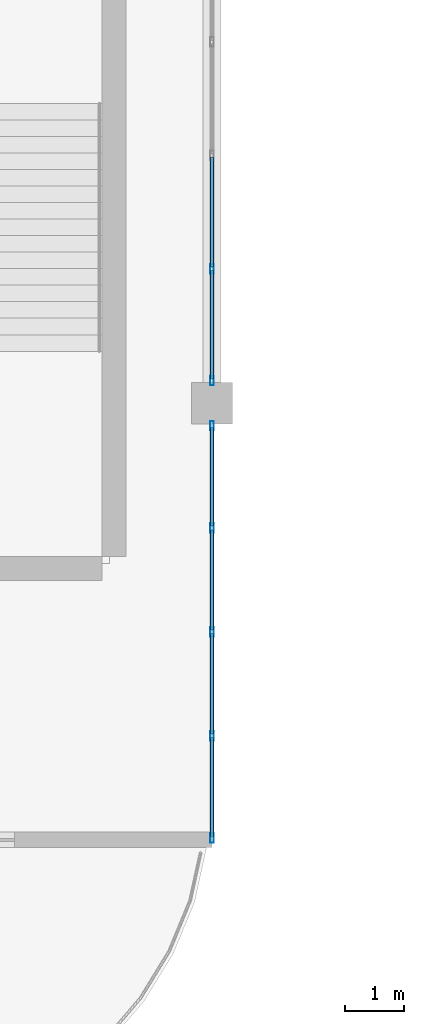
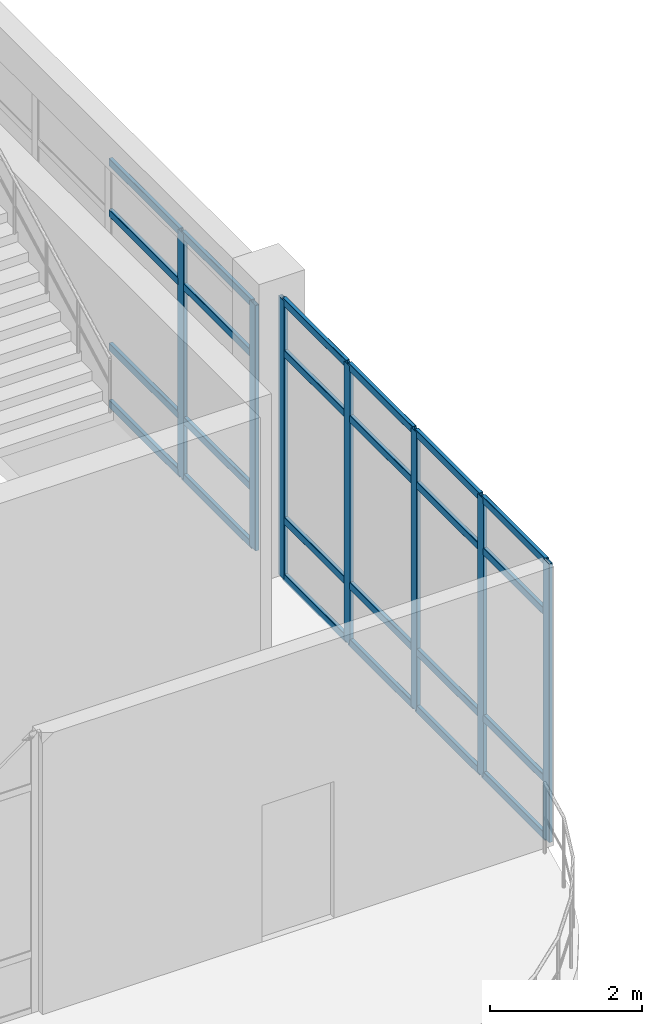
# One storey, part 25 of 64: 31 members, 2 elements without a shape of their own.
"""IFC4 building model written with IfcOpenShell, lengths in metres."""

import ifcopenshell
import ifcopenshell.guid

model = None  # the IFC model being written
_history = None  # IfcOwnerHistory: only IFC2X3 demands one
_inside = {}  # id of a spatial element -> (the spatial element, [elements in it])
_under = {}  # id of a project, library or spatial element -> (it, [spatial elements below it])
_declared = {}  # id of a project -> (the project, [libraries it declares])
_typed = {}  # id of a type object -> (the type object, [elements of that type])
_made_of = {}  # id of a material, layer set ... -> (it, [elements and type objects made of it])


def new_model(schema):
    """Start an empty IFC model of exactly this schema.

    Asked for "IFC4X3", IfcOpenShell would pick the latest addendum, in which some entities
    have other attributes; the version numbers below select the first issue.
    IFC2X3 requires an IfcOwnerHistory on every rooted entity: one is made here for all.
    """
    global model, _history
    if schema == "IFC4X3":
        model = ifcopenshell.file(schema_version=(4, 3, 0, 0))
    else:
        model = ifcopenshell.file(schema=schema)
    _inside.clear()
    _under.clear()
    _declared.clear()
    _typed.clear()
    _made_of.clear()
    _history = None
    if model.schema == "IFC2X3":
        org = make("IfcOrganization", Name="unknown")
        user = make(
            "IfcPersonAndOrganization",
            ThePerson=make("IfcPerson", FamilyName="unknown"),
            TheOrganization=org,
        )
        app = make(
            "IfcApplication",
            ApplicationDeveloper=org,
            Version="unknown",
            ApplicationFullName="unknown",
            ApplicationIdentifier="unknown",
        )
        _history = make(
            "IfcOwnerHistory",
            OwningUser=user,
            OwningApplication=app,
            ChangeAction="ADDED",
            CreationDate=0,
        )
    return model


def make(cls, **values):
    """One entity of the class cls with the attributes given. An attribute that is None is left unset."""
    return model.create_entity(
        cls, **{name: value for name, value in values.items() if value is not None}
    )


def rooted(cls, **values):
    """An entity with a GlobalId (a new one), such as an element, a storey or a relation."""
    return make(cls, GlobalId=ifcopenshell.guid.new(), OwnerHistory=_history, **values)


def si_unit(unit_type, name, prefix=None):
    """IfcSIUnit, for example si_unit("LENGTHUNIT", "METRE", prefix="MILLI")."""
    return make("IfcSIUnit", UnitType=unit_type, Prefix=prefix, Name=name)


def derived_unit(unit_type, elements):
    """IfcDerivedUnit: a product of units, each with its exponent."""
    return make(
        "IfcDerivedUnit",
        Elements=[
            make("IfcDerivedUnitElement", Unit=unit, Exponent=power)
            for unit, power in elements
        ],
        UnitType=unit_type,
    )


def assignment(units):
    """IfcUnitAssignment: the units of a project."""
    return None if units is None else make("IfcUnitAssignment", Units=units)


def point(xyz):
    """IfcCartesianPoint."""
    return None if xyz is None else make("IfcCartesianPoint", Coordinates=xyz)


def direction(xyz):
    """IfcDirection."""
    return None if xyz is None else make("IfcDirection", DirectionRatios=xyz)


def frame(location, z_axis=None, x_axis=None):
    """IfcAxis2Placement3D, a coordinate frame: its origin and axes. An axis left out is left unset."""
    return make(
        "IfcAxis2Placement3D",
        Location=point(location),
        Axis=direction(z_axis),
        RefDirection=direction(x_axis),
    )


def frame_2d(location, x_axis=None):
    """IfcAxis2Placement2D, a coordinate frame in the plane: its origin and x axis."""
    return make(
        "IfcAxis2Placement2D", Location=point(location), RefDirection=direction(x_axis)
    )


def origin():
    """The frame at (0, 0, 0) with its axes left unset."""
    return frame((0.0, 0.0, 0.0))


def origin_2d():
    """The frame at (0, 0) in the plane with its x axis left unset."""
    return frame_2d((0.0, 0.0))


def place(relative_to, where):
    """IfcLocalPlacement: puts the frame where relative to a parent placement (None: the world)."""
    return make(
        "IfcLocalPlacement", PlacementRelTo=relative_to, RelativePlacement=where
    )


def context(
    kind, dimensions, precision=None, world=None, true_north=None, identifier=None
):
    """IfcGeometricRepresentationContext, for example the 3D "Model" context."""
    return make(
        "IfcGeometricRepresentationContext",
        ContextIdentifier=identifier,
        ContextType=kind,
        CoordinateSpaceDimension=dimensions,
        Precision=precision,
        WorldCoordinateSystem=world,
        TrueNorth=true_north,
    )


def subcontext(parent, identifier, kind, view, scale=None):
    """IfcGeometricRepresentationSubContext, for example "Body" below "Model"."""
    return make(
        "IfcGeometricRepresentationSubContext",
        ContextIdentifier=identifier,
        ContextType=kind,
        ParentContext=parent,
        TargetScale=scale,
        TargetView=view,
    )


def project(units=None, contexts=None):
    """IfcProject with its units and contexts."""
    return rooted(
        "IfcProject",
        Name="project",
        RepresentationContexts=contexts,
        UnitsInContext=assignment(units),
    )


def spatial(cls, under=None, at=None, **own):
    """A site, building, storey or space (cls), placed at a placement, below another one or the project."""
    s = rooted(cls, ObjectPlacement=at, **own)
    if under is not None:
        _under.setdefault(under.id(), (under, []))[1].append(s)
    return s


def profile(cls, at=None, kind="AREA", **sizes):
    """A parametric profile (cls). Its sizes go by their IFC names, for example OverallWidth=200.0."""
    return make(cls, ProfileType=kind, Position=at, **sizes)


def hollow_rectangle(**sizes):
    """IfcRectangleHollowProfileDef."""
    return profile("IfcRectangleHollowProfileDef", **sizes)


def extrude(swept, where, along, depth):
    """IfcExtrudedAreaSolid: the profile swept, set in the frame where, extruded along a direction by depth."""
    return make(
        "IfcExtrudedAreaSolid",
        SweptArea=swept,
        Position=where,
        ExtrudedDirection=direction(along),
        Depth=depth,
    )


def shape(context_of_items, identifier, shape_type, items):
    """IfcShapeRepresentation: the items that make up one representation, for example the "Body"."""
    return make(
        "IfcShapeRepresentation",
        ContextOfItems=context_of_items,
        RepresentationIdentifier=identifier,
        RepresentationType=shape_type,
        Items=items,
    )


def material(Name=None, Category=None):
    """IfcMaterial."""
    return make("IfcMaterial", Name=Name, Category=Category)


def layer(
    of_material, thickness, ventilated=None, Name=None, Category=None, Priority=None
):
    """IfcMaterialLayer: one layer of a wall or slab, of a material (None: an air gap)."""
    return make(
        "IfcMaterialLayer",
        Material=of_material,
        LayerThickness=thickness,
        IsVentilated=ventilated,
        Name=Name,
        Category=Category,
        Priority=Priority,
    )


def layer_set(layers, Name=None):
    """IfcMaterialLayerSet."""
    return make("IfcMaterialLayerSet", MaterialLayers=layers, LayerSetName=Name)


def material_profile(
    of_material, cross_section, Name=None, Category=None, Priority=None
):
    """IfcMaterialProfile: a cross section and its material."""
    return make(
        "IfcMaterialProfile",
        Name=Name,
        Material=of_material,
        Profile=cross_section,
        Priority=Priority,
        Category=Category,
    )


def profile_set(profiles, Name=None, composite=None):
    """IfcMaterialProfileSet."""
    return make(
        "IfcMaterialProfileSet",
        Name=Name,
        MaterialProfiles=profiles,
        CompositeProfile=composite,
    )


def made_of(thing, what):
    """Note that an element or type object is made of a material, layer set ...; save() writes the relation."""
    if what is not None:
        _made_of.setdefault(what.id(), (what, []))[1].append(thing)
    return thing


def type_object(cls, material=None, **own):
    """A type object (cls), such as IfcWallType, which elements share."""
    return made_of(rooted(cls, **own), material)


def element(
    cls,
    number,
    at=None,
    inside=None,
    cuts=None,
    type_object=None,
    material=None,
    context=None,
    identifier="Body",
    shape_type=None,
    held_by="IfcProductDefinitionShape",
    body=None,
    shapes=None,
    **own,
):
    """One element of the class cls, such as IfcWall. Its Tag is "e" and its number.

    at: its placement. inside: the storey or other place that contains it. cuts: it is an
    opening in that element (IfcRelVoidsElement). A single representation is given by context,
    identifier, shape_type and body (its items); several are given by shapes. held_by: the class
    of the entity that holds the representations. save() writes the other relations.
    """
    e = rooted(cls, Tag="e%d" % number, ObjectPlacement=at, **own)
    if body is not None:
        shapes = [shape(context, identifier, shape_type, body)]
    if shapes is not None:
        e.Representation = make(held_by, Representations=shapes)
    if inside is not None:
        _inside.setdefault(inside.id(), (inside, []))[1].append(e)
    if cuts is not None:
        rooted(
            "IfcRelVoidsElement", RelatingBuildingElement=cuts, RelatedOpeningElement=e
        )
    if type_object is not None:
        _typed.setdefault(type_object.id(), (type_object, []))[1].append(e)
    return made_of(e, material)


def aggregate(whole, parts):
    """IfcRelAggregates: a whole, such as a stair, and the parts it consists of."""
    return rooted("IfcRelAggregates", RelatingObject=whole, RelatedObjects=parts)


def save(model, path):
    """Write the relations noted so far, then the file.

    IfcRelAggregates (storeys below a building ...), IfcRelContainedInSpatialStructure (elements
    in a storey), IfcRelDefinesByType, IfcRelAssociatesMaterial and IfcRelDeclares: one each for
    every whole, place, type object, material and project.
    """
    for whole, parts in _under.values():
        aggregate(whole, parts)
    for where, things in _inside.values():
        rooted(
            "IfcRelContainedInSpatialStructure",
            RelatedElements=things,
            RelatingStructure=where,
        )
    for kind, things in _typed.values():
        rooted("IfcRelDefinesByType", RelatedObjects=things, RelatingType=kind)
    for what, things in _made_of.values():
        rooted("IfcRelAssociatesMaterial", RelatedObjects=things, RelatingMaterial=what)
    for by, libraries in _declared.values():
        rooted("IfcRelDeclares", RelatingContext=by, RelatedDefinitions=libraries)
    model.write(path)


model = new_model("IFC4")

# Units and contexts
model_context = context("Model", 3, precision=1e-05, world=origin(), true_north=direction((0.0, 1.0)))
body_context = subcontext(model_context, "Body", "Model", "MODEL_VIEW")
ifc_project = project(units=[si_unit("LENGTHUNIT", "METRE"), si_unit("AREAUNIT", "SQUARE_METRE"), si_unit("VOLUMEUNIT", "CUBIC_METRE"), si_unit("PLANEANGLEUNIT", "RADIAN"), si_unit("MASSUNIT", "GRAM", prefix="KILO"), derived_unit("THERMALTRANSMITTANCEUNIT", [(si_unit("MASSUNIT", "GRAM", prefix="KILO"), 1), (si_unit("TIMEUNIT", "SECOND"), -3), (si_unit("THERMODYNAMICTEMPERATUREUNIT", "KELVIN"), -1)])], contexts=[model_context])

# Site, building, storey
site_placement = place(None, origin())
site = spatial("IfcSite", under=ifc_project, at=site_placement, CompositionType="ELEMENT")
building_placement = place(site_placement, origin())
building = spatial("IfcBuilding", under=site, at=building_placement, Name="Qinzheling Arcade Emporium", CompositionType="ELEMENT")
storey_placement = place(building_placement, frame((0.0, 0.0, 31.5)))
storey = spatial("IfcBuildingStorey", under=building, at=storey_placement, Name="L07", CompositionType="ELEMENT", Elevation=31.5)

# Curtain wall, members
ifc_material_1 = material(Name="Anodised aluminium and solar-control double glazing", Category="aluminium")
ifc_layer = layer(ifc_material_1, 0.159912109375, Name="Anodised aluminium and solar-control double glazing", Category="aluminium")
ifc_layer_set = layer_set([ifc_layer], Name="Anodised aluminium and solar-control double glazing")
curtain_wall_type = type_object("IfcCurtainWallType", Name="Arcade Portal Glazed Curtain Wall", PredefinedType="NOTDEFINED", material=ifc_layer_set)
curtain_wall_1_placement = place(storey_placement, origin())
curtain_wall_1 = element("IfcCurtainWall", 1, at=curtain_wall_1_placement, inside=storey, type_object=curtain_wall_type, Name="Curtain Wall CW-L07-431", PredefinedType="NOTDEFINED")
ifc_material_2 = material(Name="Anodised aluminium 6063-T6", Category="aluminium")
ifc_material_profile_1 = material_profile(ifc_material_2, hollow_rectangle(XDim=0.06005859375, YDim=0.159912109375, WallThickness=0.00390625, InnerFilletRadius=0.00390625, OuterFilletRadius=0.008056640625, at=origin_2d()), Name="RHS 160x60x4", Category="aluminium")
ifc_profile_set_1 = profile_set([ifc_material_profile_1], Name="Anodised aluminium 6063-T6")
member_type_1 = type_object("IfcMemberType", Name="Curtain Wall Mullion RHS160x60", PredefinedType="MULLION", material=ifc_profile_set_1)
member_1_placement = place(storey_placement, frame((69.60009765625, 27.47607421875, 0.0), z_axis=(0.0, 0.0, 1.0), x_axis=(1.0, 0.0, 0.0)))
member_1 = element("IfcMember", 2, at=member_1_placement, type_object=member_type_1, Name="CW05 mullion 4", PredefinedType="MULLION", context=body_context, shape_type="SweptSolid", body=[
    extrude(hollow_rectangle(XDim=0.06005859375, YDim=0.159912109375, WallThickness=0.00390625, InnerFilletRadius=0.00390625, OuterFilletRadius=0.008056640625, at=origin_2d()), origin(), (0.0, 0.0, 1.0), 3.955078125),
])
member_2_placement = place(storey_placement, frame((69.60009765625, 25.58203125, 0.0), z_axis=(0.0, 0.0, 1.0), x_axis=(1.0, 0.0, 0.0)))
member_2 = element("IfcMember", 3, at=member_2_placement, type_object=member_type_1, Name="CW05 mullion 5", PredefinedType="MULLION", context=body_context, shape_type="SweptSolid", body=[
    extrude(hollow_rectangle(XDim=0.06005859375, YDim=0.159912109375, WallThickness=0.00390625, InnerFilletRadius=0.00390625, OuterFilletRadius=0.008056640625, at=origin_2d()), origin(), (0.0, 0.0, 1.0), 3.955078125),
])

curtain_wall_2_placement = place(storey_placement, origin())
curtain_wall_2 = element("IfcCurtainWall", 4, at=curtain_wall_2_placement, inside=storey, type_object=curtain_wall_type, Name="Curtain Wall CW-L07-432", PredefinedType="NOTDEFINED")
member_3_placement = place(storey_placement, frame((69.60009765625, 24.818115234375, 0.0), z_axis=(0.0, 0.0, 1.0), x_axis=(1.0, 0.0, 0.0)))
member_3 = element("IfcMember", 5, at=member_3_placement, type_object=member_type_1, Name="CW05 mullion 1", PredefinedType="MULLION", context=body_context, shape_type="SweptSolid", body=[
    extrude(hollow_rectangle(XDim=0.06005859375, YDim=0.159912109375, WallThickness=0.00390625, InnerFilletRadius=0.00390625, OuterFilletRadius=0.008056640625, at=origin_2d()), origin(), (0.0, 0.0, 1.0), 4.489990234375),
])
member_4_placement = place(storey_placement, frame((69.60009765625, 23.0859375, 0.0), z_axis=(0.0, 0.0, 1.0), x_axis=(1.0, 0.0, 0.0)))
member_4 = element("IfcMember", 6, at=member_4_placement, type_object=member_type_1, Name="CW05 mullion 2", PredefinedType="MULLION", context=body_context, shape_type="SweptSolid", body=[
    extrude(hollow_rectangle(XDim=0.06005859375, YDim=0.159912109375, WallThickness=0.00390625, InnerFilletRadius=0.00390625, OuterFilletRadius=0.008056640625, at=origin_2d()), origin(), (0.0, 0.0, 1.0), 4.489990234375),
])
member_5_placement = place(storey_placement, frame((69.60009765625, 21.323974609375, 0.0), z_axis=(0.0, 0.0, 1.0), x_axis=(1.0, 0.0, 0.0)))
member_5 = element("IfcMember", 7, at=member_5_placement, type_object=member_type_1, Name="CW05 mullion 3", PredefinedType="MULLION", context=body_context, shape_type="SweptSolid", body=[
    extrude(hollow_rectangle(XDim=0.06005859375, YDim=0.159912109375, WallThickness=0.00390625, InnerFilletRadius=0.00390625, OuterFilletRadius=0.008056640625, at=origin_2d()), origin(), (0.0, 0.0, 1.0), 4.489990234375),
])
member_6_placement = place(storey_placement, frame((69.60009765625, 19.56201171875, 0.0), z_axis=(0.0, 0.0, 1.0), x_axis=(1.0, 0.0, 0.0)))
member_6 = element("IfcMember", 8, at=member_6_placement, type_object=member_type_1, Name="CW05 mullion 4", PredefinedType="MULLION", context=body_context, shape_type="SweptSolid", body=[
    extrude(hollow_rectangle(XDim=0.06005859375, YDim=0.159912109375, WallThickness=0.00390625, InnerFilletRadius=0.00390625, OuterFilletRadius=0.008056640625, at=origin_2d()), origin(), (0.0, 0.0, 1.0), 4.489990234375),
])
member_7_placement = place(storey_placement, frame((69.60009765625, 17.830078125, 0.0), z_axis=(0.0, 0.0, 1.0), x_axis=(1.0, 0.0, 0.0)))
member_7 = element("IfcMember", 9, at=member_7_placement, type_object=member_type_1, Name="CW05 mullion 5", PredefinedType="MULLION", context=body_context, shape_type="SweptSolid", body=[
    extrude(hollow_rectangle(XDim=0.06005859375, YDim=0.159912109375, WallThickness=0.00390625, InnerFilletRadius=0.00390625, OuterFilletRadius=0.008056640625, at=origin_2d()), origin(), (0.0, 0.0, 1.0), 4.489990234375),
])

# Member
ifc_material_profile_2 = material_profile(ifc_material_2, hollow_rectangle(XDim=0.06005859375, YDim=0.1201171875, WallThickness=0.00390625, InnerFilletRadius=0.00390625, OuterFilletRadius=0.008056640625, at=origin_2d()), Name="RHS 120x60x4", Category="aluminium")
ifc_profile_set_2 = profile_set([ifc_material_profile_2], Name="Anodised aluminium 6063-T6")
member_type_2 = type_object("IfcMemberType", Name="Curtain Wall Transom RHS120x60", PredefinedType="USERDEFINED", material=ifc_profile_set_2)
member_8_placement = place(storey_placement, frame((69.60009765625, 29.3701171875, 0.030029296875), z_axis=(0.0, -1.0, 0.0), x_axis=(1.0, 0.0, 0.0)))
member_8 = element("IfcMember", 10, at=member_8_placement, type_object=member_type_2, Name="CW05 transom 3.1", ObjectType="TRANSOM", PredefinedType="USERDEFINED", context=body_context, shape_type="SweptSolid", body=[
    extrude(hollow_rectangle(XDim=0.06005859375, YDim=0.1201171875, WallThickness=0.00390625, InnerFilletRadius=0.00390625, OuterFilletRadius=0.008056640625, at=origin_2d()), origin(), (0.0, 0.0, 1.0), 1.864013671875),
])

member_9_placement = place(storey_placement, frame((69.60009765625, 29.3701171875, 0.949951171875), z_axis=(0.0, -1.0, 0.0), x_axis=(1.0, 0.0, 0.0)))
member_9 = element("IfcMember", 11, at=member_9_placement, type_object=member_type_2, Name="CW05 transom 3.2", ObjectType="TRANSOM", PredefinedType="USERDEFINED", context=body_context, shape_type="SweptSolid", body=[
    extrude(hollow_rectangle(XDim=0.06005859375, YDim=0.1201171875, WallThickness=0.00390625, InnerFilletRadius=0.00390625, OuterFilletRadius=0.008056640625, at=origin_2d()), origin(), (0.0, 0.0, 1.0), 1.864013671875),
])

member_10_placement = place(storey_placement, frame((69.60009765625, 29.3701171875, 3.10498046875), z_axis=(0.0, -1.0, 0.0), x_axis=(1.0, 0.0, 0.0)))
member_10 = element("IfcMember", 12, at=member_10_placement, type_object=member_type_2, Name="CW05 transom 3.3", ObjectType="TRANSOM", PredefinedType="USERDEFINED", context=body_context, shape_type="SweptSolid", body=[
    extrude(hollow_rectangle(XDim=0.06005859375, YDim=0.1201171875, WallThickness=0.00390625, InnerFilletRadius=0.00390625, OuterFilletRadius=0.008056640625, at=origin_2d()), origin(), (0.0, 0.0, 1.0), 1.864013671875),
])

member_11_placement = place(storey_placement, frame((69.60009765625, 29.3701171875, 3.925048828125), z_axis=(0.0, -1.0, 0.0), x_axis=(1.0, 0.0, 0.0)))
member_11 = element("IfcMember", 13, at=member_11_placement, type_object=member_type_2, Name="CW05 transom 3.4", ObjectType="TRANSOM", PredefinedType="USERDEFINED", context=body_context, shape_type="SweptSolid", body=[
    extrude(hollow_rectangle(XDim=0.06005859375, YDim=0.1201171875, WallThickness=0.00390625, InnerFilletRadius=0.00390625, OuterFilletRadius=0.008056640625, at=origin_2d()), origin(), (0.0, 0.0, 1.0), 1.864013671875),
])

member_12_placement = place(storey_placement, frame((69.60009765625, 27.446044921875, 0.030029296875), z_axis=(0.0, -1.0, 0.0), x_axis=(1.0, 0.0, 0.0)))
member_12 = element("IfcMember", 14, at=member_12_placement, type_object=member_type_2, Name="CW05 transom 4.1", ObjectType="TRANSOM", PredefinedType="USERDEFINED", context=body_context, shape_type="SweptSolid", body=[
    extrude(hollow_rectangle(XDim=0.06005859375, YDim=0.1201171875, WallThickness=0.00390625, InnerFilletRadius=0.00390625, OuterFilletRadius=0.008056640625, at=origin_2d()), origin(), (0.0, 0.0, 1.0), 1.833984375),
])

member_13_placement = place(storey_placement, frame((69.60009765625, 27.446044921875, 0.949951171875), z_axis=(0.0, -1.0, 0.0), x_axis=(1.0, 0.0, 0.0)))
member_13 = element("IfcMember", 15, at=member_13_placement, type_object=member_type_2, Name="CW05 transom 4.2", ObjectType="TRANSOM", PredefinedType="USERDEFINED", context=body_context, shape_type="SweptSolid", body=[
    extrude(hollow_rectangle(XDim=0.06005859375, YDim=0.1201171875, WallThickness=0.00390625, InnerFilletRadius=0.00390625, OuterFilletRadius=0.008056640625, at=origin_2d()), origin(), (0.0, 0.0, 1.0), 1.833984375),
])

member_14_placement = place(storey_placement, frame((69.60009765625, 27.446044921875, 3.10498046875), z_axis=(0.0, -1.0, 0.0), x_axis=(1.0, 0.0, 0.0)))
member_14 = element("IfcMember", 16, at=member_14_placement, type_object=member_type_2, Name="CW05 transom 4.3", ObjectType="TRANSOM", PredefinedType="USERDEFINED", context=body_context, shape_type="SweptSolid", body=[
    extrude(hollow_rectangle(XDim=0.06005859375, YDim=0.1201171875, WallThickness=0.00390625, InnerFilletRadius=0.00390625, OuterFilletRadius=0.008056640625, at=origin_2d()), origin(), (0.0, 0.0, 1.0), 1.833984375),
])

member_15_placement = place(storey_placement, frame((69.60009765625, 27.446044921875, 3.925048828125), z_axis=(0.0, -1.0, 0.0), x_axis=(1.0, 0.0, 0.0)))
member_15 = element("IfcMember", 17, at=member_15_placement, type_object=member_type_2, Name="CW05 transom 4.4", ObjectType="TRANSOM", PredefinedType="USERDEFINED", context=body_context, shape_type="SweptSolid", body=[
    extrude(hollow_rectangle(XDim=0.06005859375, YDim=0.1201171875, WallThickness=0.00390625, InnerFilletRadius=0.00390625, OuterFilletRadius=0.008056640625, at=origin_2d()), origin(), (0.0, 0.0, 1.0), 1.833984375),
])

aggregate(curtain_wall_1, [member_1, member_2, member_8, member_9, member_10, member_11, member_12, member_13, member_14, member_15])

member_16_placement = place(storey_placement, frame((69.60009765625, 24.7880859375, 0.030029296875), z_axis=(0.0, -1.0, 0.0), x_axis=(1.0, 0.0, 0.0)))
member_16 = element("IfcMember", 18, at=member_16_placement, type_object=member_type_2, Name="CW05 transom 1.1", ObjectType="TRANSOM", PredefinedType="USERDEFINED", context=body_context, shape_type="SweptSolid", body=[
    extrude(hollow_rectangle(XDim=0.06005859375, YDim=0.1201171875, WallThickness=0.00390625, InnerFilletRadius=0.00390625, OuterFilletRadius=0.008056640625, at=origin_2d()), origin(), (0.0, 0.0, 1.0), 1.672119140625),
])

member_17_placement = place(storey_placement, frame((69.60009765625, 24.7880859375, 0.949951171875), z_axis=(0.0, -1.0, 0.0), x_axis=(1.0, 0.0, 0.0)))
member_17 = element("IfcMember", 19, at=member_17_placement, type_object=member_type_2, Name="CW05 transom 1.2", ObjectType="TRANSOM", PredefinedType="USERDEFINED", context=body_context, shape_type="SweptSolid", body=[
    extrude(hollow_rectangle(XDim=0.06005859375, YDim=0.1201171875, WallThickness=0.00390625, InnerFilletRadius=0.00390625, OuterFilletRadius=0.008056640625, at=origin_2d()), origin(), (0.0, 0.0, 1.0), 1.672119140625),
])

member_18_placement = place(storey_placement, frame((69.60009765625, 24.7880859375, 3.639892578125), z_axis=(0.0, -1.0, 0.0), x_axis=(1.0, 0.0, 0.0)))
member_18 = element("IfcMember", 20, at=member_18_placement, type_object=member_type_2, Name="CW05 transom 1.3", ObjectType="TRANSOM", PredefinedType="USERDEFINED", context=body_context, shape_type="SweptSolid", body=[
    extrude(hollow_rectangle(XDim=0.06005859375, YDim=0.1201171875, WallThickness=0.00390625, InnerFilletRadius=0.00390625, OuterFilletRadius=0.008056640625, at=origin_2d()), origin(), (0.0, 0.0, 1.0), 1.672119140625),
])

member_19_placement = place(storey_placement, frame((69.60009765625, 24.7880859375, 4.4599609375), z_axis=(0.0, -1.0, 0.0), x_axis=(1.0, 0.0, 0.0)))
member_19 = element("IfcMember", 21, at=member_19_placement, type_object=member_type_2, Name="CW05 transom 1.4", ObjectType="TRANSOM", PredefinedType="USERDEFINED", context=body_context, shape_type="SweptSolid", body=[
    extrude(hollow_rectangle(XDim=0.06005859375, YDim=0.1201171875, WallThickness=0.00390625, InnerFilletRadius=0.00390625, OuterFilletRadius=0.008056640625, at=origin_2d()), origin(), (0.0, 0.0, 1.0), 1.672119140625),
])

member_20_placement = place(storey_placement, frame((69.60009765625, 23.055908203125, 0.030029296875), z_axis=(0.0, -1.0, 0.0), x_axis=(1.0, 0.0, 0.0)))
member_20 = element("IfcMember", 22, at=member_20_placement, type_object=member_type_2, Name="CW05 transom 2.1", ObjectType="TRANSOM", PredefinedType="USERDEFINED", context=body_context, shape_type="SweptSolid", body=[
    extrude(hollow_rectangle(XDim=0.06005859375, YDim=0.1201171875, WallThickness=0.00390625, InnerFilletRadius=0.00390625, OuterFilletRadius=0.008056640625, at=origin_2d()), origin(), (0.0, 0.0, 1.0), 1.701904296875),
])

member_21_placement = place(storey_placement, frame((69.60009765625, 23.055908203125, 0.949951171875), z_axis=(0.0, -1.0, 0.0), x_axis=(1.0, 0.0, 0.0)))
member_21 = element("IfcMember", 23, at=member_21_placement, type_object=member_type_2, Name="CW05 transom 2.2", ObjectType="TRANSOM", PredefinedType="USERDEFINED", context=body_context, shape_type="SweptSolid", body=[
    extrude(hollow_rectangle(XDim=0.06005859375, YDim=0.1201171875, WallThickness=0.00390625, InnerFilletRadius=0.00390625, OuterFilletRadius=0.008056640625, at=origin_2d()), origin(), (0.0, 0.0, 1.0), 1.701904296875),
])

member_22_placement = place(storey_placement, frame((69.60009765625, 23.055908203125, 3.639892578125), z_axis=(0.0, -1.0, 0.0), x_axis=(1.0, 0.0, 0.0)))
member_22 = element("IfcMember", 24, at=member_22_placement, type_object=member_type_2, Name="CW05 transom 2.3", ObjectType="TRANSOM", PredefinedType="USERDEFINED", context=body_context, shape_type="SweptSolid", body=[
    extrude(hollow_rectangle(XDim=0.06005859375, YDim=0.1201171875, WallThickness=0.00390625, InnerFilletRadius=0.00390625, OuterFilletRadius=0.008056640625, at=origin_2d()), origin(), (0.0, 0.0, 1.0), 1.701904296875),
])

member_23_placement = place(storey_placement, frame((69.60009765625, 23.055908203125, 4.4599609375), z_axis=(0.0, -1.0, 0.0), x_axis=(1.0, 0.0, 0.0)))
member_23 = element("IfcMember", 25, at=member_23_placement, type_object=member_type_2, Name="CW05 transom 2.4", ObjectType="TRANSOM", PredefinedType="USERDEFINED", context=body_context, shape_type="SweptSolid", body=[
    extrude(hollow_rectangle(XDim=0.06005859375, YDim=0.1201171875, WallThickness=0.00390625, InnerFilletRadius=0.00390625, OuterFilletRadius=0.008056640625, at=origin_2d()), origin(), (0.0, 0.0, 1.0), 1.701904296875),
])

member_24_placement = place(storey_placement, frame((69.60009765625, 21.2939453125, 0.030029296875), z_axis=(0.0, -1.0, 0.0), x_axis=(1.0, 0.0, 0.0)))
member_24 = element("IfcMember", 26, at=member_24_placement, type_object=member_type_2, Name="CW05 transom 3.1", ObjectType="TRANSOM", PredefinedType="USERDEFINED", context=body_context, shape_type="SweptSolid", body=[
    extrude(hollow_rectangle(XDim=0.06005859375, YDim=0.1201171875, WallThickness=0.00390625, InnerFilletRadius=0.00390625, OuterFilletRadius=0.008056640625, at=origin_2d()), origin(), (0.0, 0.0, 1.0), 1.701904296875),
])

member_25_placement = place(storey_placement, frame((69.60009765625, 21.2939453125, 0.949951171875), z_axis=(0.0, -1.0, 0.0), x_axis=(1.0, 0.0, 0.0)))
member_25 = element("IfcMember", 27, at=member_25_placement, type_object=member_type_2, Name="CW05 transom 3.2", ObjectType="TRANSOM", PredefinedType="USERDEFINED", context=body_context, shape_type="SweptSolid", body=[
    extrude(hollow_rectangle(XDim=0.06005859375, YDim=0.1201171875, WallThickness=0.00390625, InnerFilletRadius=0.00390625, OuterFilletRadius=0.008056640625, at=origin_2d()), origin(), (0.0, 0.0, 1.0), 1.701904296875),
])

member_26_placement = place(storey_placement, frame((69.60009765625, 21.2939453125, 3.639892578125), z_axis=(0.0, -1.0, 0.0), x_axis=(1.0, 0.0, 0.0)))
member_26 = element("IfcMember", 28, at=member_26_placement, type_object=member_type_2, Name="CW05 transom 3.3", ObjectType="TRANSOM", PredefinedType="USERDEFINED", context=body_context, shape_type="SweptSolid", body=[
    extrude(hollow_rectangle(XDim=0.06005859375, YDim=0.1201171875, WallThickness=0.00390625, InnerFilletRadius=0.00390625, OuterFilletRadius=0.008056640625, at=origin_2d()), origin(), (0.0, 0.0, 1.0), 1.701904296875),
])

member_27_placement = place(storey_placement, frame((69.60009765625, 21.2939453125, 4.4599609375), z_axis=(0.0, -1.0, 0.0), x_axis=(1.0, 0.0, 0.0)))
member_27 = element("IfcMember", 29, at=member_27_placement, type_object=member_type_2, Name="CW05 transom 3.4", ObjectType="TRANSOM", PredefinedType="USERDEFINED", context=body_context, shape_type="SweptSolid", body=[
    extrude(hollow_rectangle(XDim=0.06005859375, YDim=0.1201171875, WallThickness=0.00390625, InnerFilletRadius=0.00390625, OuterFilletRadius=0.008056640625, at=origin_2d()), origin(), (0.0, 0.0, 1.0), 1.701904296875),
])

member_28_placement = place(storey_placement, frame((69.60009765625, 19.531982421875, 0.030029296875), z_axis=(0.0, -1.0, 0.0), x_axis=(1.0, 0.0, 0.0)))
member_28 = element("IfcMember", 30, at=member_28_placement, type_object=member_type_2, Name="CW05 transom 4.1", ObjectType="TRANSOM", PredefinedType="USERDEFINED", context=body_context, shape_type="SweptSolid", body=[
    extrude(hollow_rectangle(XDim=0.06005859375, YDim=0.1201171875, WallThickness=0.00390625, InnerFilletRadius=0.00390625, OuterFilletRadius=0.008056640625, at=origin_2d()), origin(), (0.0, 0.0, 1.0), 1.671875),
])

member_29_placement = place(storey_placement, frame((69.60009765625, 19.531982421875, 0.949951171875), z_axis=(0.0, -1.0, 0.0), x_axis=(1.0, 0.0, 0.0)))
member_29 = element("IfcMember", 31, at=member_29_placement, type_object=member_type_2, Name="CW05 transom 4.2", ObjectType="TRANSOM", PredefinedType="USERDEFINED", context=body_context, shape_type="SweptSolid", body=[
    extrude(hollow_rectangle(XDim=0.06005859375, YDim=0.1201171875, WallThickness=0.00390625, InnerFilletRadius=0.00390625, OuterFilletRadius=0.008056640625, at=origin_2d()), origin(), (0.0, 0.0, 1.0), 1.671875),
])

member_30_placement = place(storey_placement, frame((69.60009765625, 19.531982421875, 3.639892578125), z_axis=(0.0, -1.0, 0.0), x_axis=(1.0, 0.0, 0.0)))
member_30 = element("IfcMember", 32, at=member_30_placement, type_object=member_type_2, Name="CW05 transom 4.3", ObjectType="TRANSOM", PredefinedType="USERDEFINED", context=body_context, shape_type="SweptSolid", body=[
    extrude(hollow_rectangle(XDim=0.06005859375, YDim=0.1201171875, WallThickness=0.00390625, InnerFilletRadius=0.00390625, OuterFilletRadius=0.008056640625, at=origin_2d()), origin(), (0.0, 0.0, 1.0), 1.671875),
])

member_31_placement = place(storey_placement, frame((69.60009765625, 19.531982421875, 4.4599609375), z_axis=(0.0, -1.0, 0.0), x_axis=(1.0, 0.0, 0.0)))
member_31 = element("IfcMember", 33, at=member_31_placement, type_object=member_type_2, Name="CW05 transom 4.4", ObjectType="TRANSOM", PredefinedType="USERDEFINED", context=body_context, shape_type="SweptSolid", body=[
    extrude(hollow_rectangle(XDim=0.06005859375, YDim=0.1201171875, WallThickness=0.00390625, InnerFilletRadius=0.00390625, OuterFilletRadius=0.008056640625, at=origin_2d()), origin(), (0.0, 0.0, 1.0), 1.671875),
])

aggregate(curtain_wall_2, [member_3, member_4, member_5, member_6, member_7, member_16, member_17, member_18, member_19, member_20, member_21, member_22, member_23, member_24, member_25, member_26, member_27, member_28, member_29, member_30, member_31])

save(model, "model.ifc")
